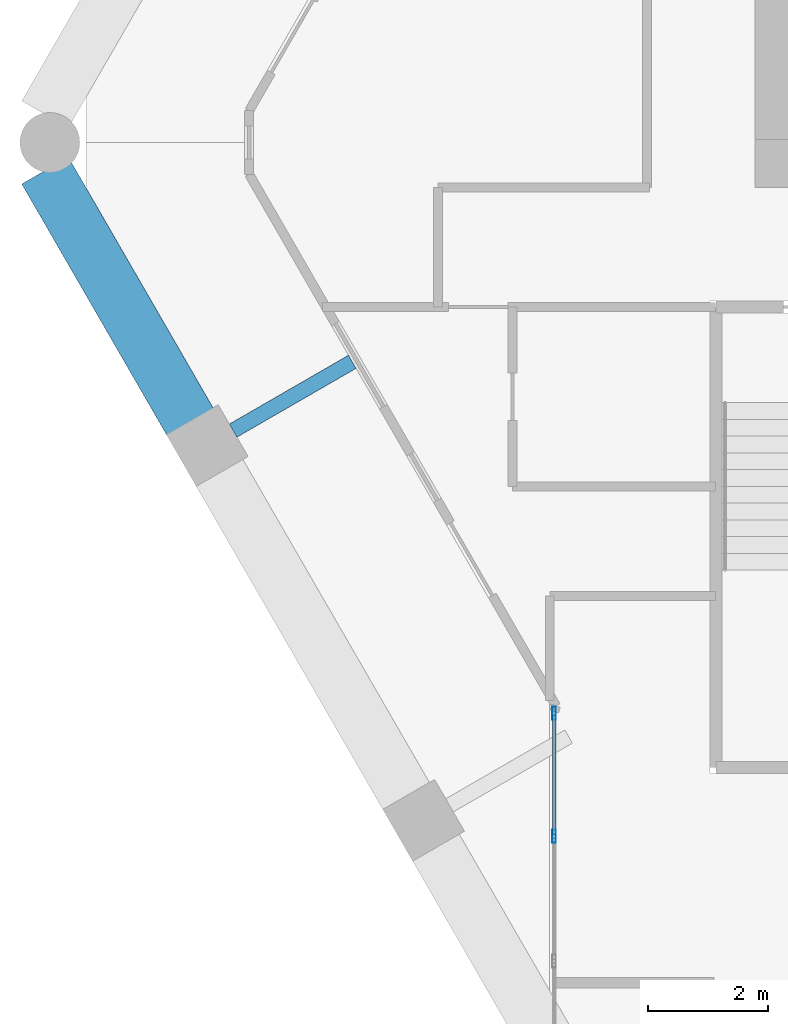
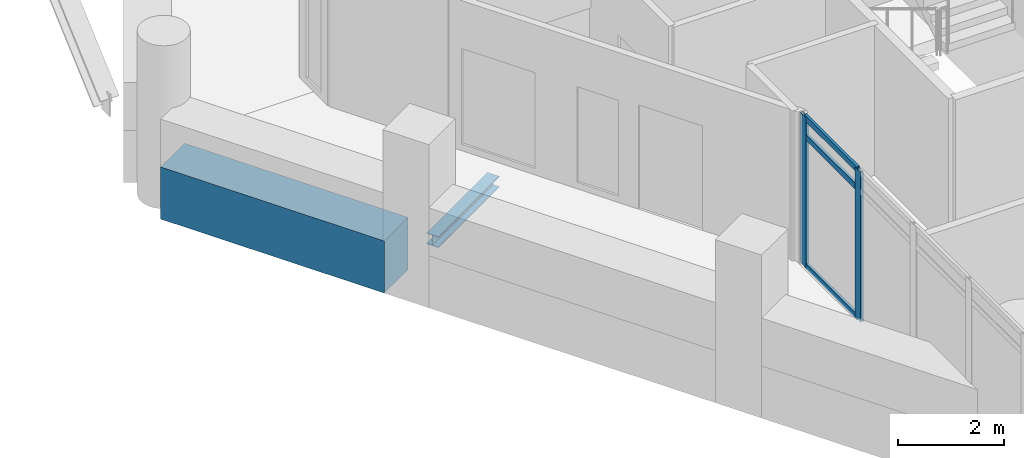
# One storey, part 11 of 38: 5 members, 2 beams, 1 element without a shape of its own.
"""IFC4 building model written with IfcOpenShell, lengths in metres."""

from ifc_helpers import new_model, si_unit, direction, frame, origin, origin_2d, place, context, subcontext, project, spatial, rectangle, hollow_rectangle, i_section, extrude, material, material_profile, profile_set, type_object, element, aggregate, save


model = new_model("IFC4")

# Units and contexts
model_context = context("Model", 3, precision=1e-05, world=origin(), true_north=direction((0.0, 1.0)))
body_context = subcontext(model_context, "Body", "Model", "MODEL_VIEW")
ifc_project = project(units=[si_unit("LENGTHUNIT", "METRE"), si_unit("AREAUNIT", "SQUARE_METRE"), si_unit("VOLUMEUNIT", "CUBIC_METRE"), si_unit("PLANEANGLEUNIT", "RADIAN"), si_unit("MASSUNIT", "GRAM", prefix="KILO")], contexts=[model_context])

# Site, building, storey
site_placement = place(None, origin())
site = spatial("IfcSite", under=ifc_project, at=site_placement, CompositionType="ELEMENT")
building_placement = place(site_placement, origin())
building = spatial("IfcBuilding", under=site, at=building_placement, Name="Ostrander Bayou Hotel Tower", CompositionType="ELEMENT")
storey_placement = place(building_placement, frame((0.0, 0.0, 194.5)))
storey = spatial("IfcBuildingStorey", under=building, at=storey_placement, Name="L48", CompositionType="ELEMENT", Elevation=194.5)

# Curtain wall, members
ifc_material_1 = material(Name="Aluminium and clear glass", Category="aluminium")
curtain_wall_type = type_object("IfcCurtainWallType", Name="CW-BAR glazed wall", PredefinedType="NOTDEFINED", material=ifc_material_1)
curtain_wall_placement = place(storey_placement, origin())
curtain_wall = element("IfcCurtainWall", 1, at=curtain_wall_placement, inside=storey, type_object=curtain_wall_type, Name="CW-BAR L48:SB4S:E", PredefinedType="NOTDEFINED")
ifc_material_2 = material(Name="Aluminium", Category="aluminium")
ifc_material_profile_1 = material_profile(ifc_material_2, hollow_rectangle(XDim=0.06005859375, YDim=0.219970703125, WallThickness=0.00390625, at=origin_2d()))
ifc_profile_set_1 = profile_set([ifc_material_profile_1], Name="Aluminium")
member_type_1 = type_object("IfcMemberType", Name="CW-BR mullion 60 x 220 mm", PredefinedType="MULLION", material=ifc_profile_set_1)
member_1_placement = place(storey_placement, frame((-11.857177734375, -10.49267578125, 0.0), z_axis=(0.0, 0.0, 1.0), x_axis=(1.0, 0.0, 0.0)))
member_1 = element("IfcMember", 2, at=member_1_placement, type_object=member_type_1, Name="CW-BAR mullion 1", PredefinedType="MULLION", context=body_context, shape_type="SweptSolid", body=[
    extrude(hollow_rectangle(XDim=0.06005859375, YDim=0.219970703125, WallThickness=0.00390625, at=origin_2d()), origin(), (0.0, 0.0, 1.0), 3.449951171875),
])
member_2_placement = place(storey_placement, frame((-11.857177734375, -12.550537109375, 0.0), z_axis=(0.0, 0.0, 1.0), x_axis=(1.0, 0.0, 0.0)))
member_2 = element("IfcMember", 3, at=member_2_placement, type_object=member_type_1, Name="CW-BAR mullion 2", PredefinedType="MULLION", context=body_context, shape_type="SweptSolid", body=[
    extrude(hollow_rectangle(XDim=0.06005859375, YDim=0.219970703125, WallThickness=0.00390625, at=origin_2d()), origin(), (0.0, 0.0, 1.0), 3.449951171875),
])
ifc_material_3 = material(Name="Aluminium", Category="aluminium")
ifc_material_profile_2 = material_profile(ifc_material_3, hollow_rectangle(XDim=0.06005859375, YDim=0.1298828125, WallThickness=0.00390625, at=origin_2d()))
ifc_profile_set_2 = profile_set([ifc_material_profile_2], Name="Aluminium")
member_type_2 = type_object("IfcMemberType", Name="CW-BR transom 60 x 130 mm", PredefinedType="USERDEFINED", material=ifc_profile_set_2)
member_3_placement = place(storey_placement, frame((-11.857177734375, -10.522705078125, 0.030029296875), z_axis=(0.0, -1.0, 0.0), x_axis=(1.0, 0.0, 0.0)))
member_3 = element("IfcMember", 4, at=member_3_placement, type_object=member_type_2, Name="CW-BAR transom 1.1", ObjectType="TRANSOM", PredefinedType="USERDEFINED", context=body_context, shape_type="SweptSolid", body=[
    extrude(hollow_rectangle(XDim=0.06005859375, YDim=0.1298828125, WallThickness=0.00390625, at=origin_2d()), origin(), (0.0, 0.0, 1.0), 1.997802734375),
])
member_4_placement = place(storey_placement, frame((-11.857177734375, -10.522705078125, 3.0), z_axis=(0.0, -1.0, 0.0), x_axis=(1.0, 0.0, 0.0)))
member_4 = element("IfcMember", 5, at=member_4_placement, type_object=member_type_2, Name="CW-BAR transom 1.2", ObjectType="TRANSOM", PredefinedType="USERDEFINED", context=body_context, shape_type="SweptSolid", body=[
    extrude(hollow_rectangle(XDim=0.06005859375, YDim=0.1298828125, WallThickness=0.00390625, at=origin_2d()), origin(), (0.0, 0.0, 1.0), 1.997802734375),
])
member_5_placement = place(storey_placement, frame((-11.857177734375, -10.522705078125, 3.419921875), z_axis=(0.0, -1.0, 0.0), x_axis=(1.0, 0.0, 0.0)))
member_5 = element("IfcMember", 6, at=member_5_placement, type_object=member_type_2, Name="CW-BAR transom 1.3", ObjectType="TRANSOM", PredefinedType="USERDEFINED", context=body_context, shape_type="SweptSolid", body=[
    extrude(hollow_rectangle(XDim=0.06005859375, YDim=0.1298828125, WallThickness=0.00390625, at=origin_2d()), origin(), (0.0, 0.0, 1.0), 1.997802734375),
])
aggregate(curtain_wall, [member_1, member_2, member_3, member_4, member_5])

# Beams
ifc_material_4 = material(Name="Steel ASTM A992", Category="steel")
ifc_material_profile_3 = material_profile(ifc_material_4, i_section(OverallWidth=0.25390625, OverallDepth=0.25341796875, WebThickness=0.008544921875, FlangeThickness=0.01416015625, at=origin_2d()))
ifc_profile_set_3 = profile_set([ifc_material_profile_3], Name="Steel ASTM A992")
beam_type_1 = type_object("IfcBeamType", Name="LB2 loggia bracket W10x49", PredefinedType="BEAM", material=ifc_profile_set_3)
beam_1_placement = place(storey_placement, frame((-17.224365234375, -5.7666015625, -0.4267578125), z_axis=(0.866053019151, 0.499952165731, 0.0), x_axis=(-0.499952165731, 0.866053019151, 0.0)))
element("IfcBeam", 7, at=beam_1_placement, inside=storey, type_object=beam_type_1, Name="LB2 L48 SW1", PredefinedType="BEAM", context=body_context, shape_type="SweptSolid", body=[
    extrude(i_section(OverallWidth=0.25390625, OverallDepth=0.25341796875, WebThickness=0.008544921875, FlangeThickness=0.01416015625, at=origin_2d()), origin(), (0.0, 0.0, 1.0), 2.300048828125),
])
ifc_material_5 = material(Name="Concrete f'c 60 MPa", Category="concrete")
ifc_material_profile_4 = material_profile(ifc_material_5, rectangle(XDim=0.89990234375, YDim=1.199951171875, at=origin_2d()))
ifc_profile_set_4 = profile_set([ifc_material_profile_4], Name="Concrete f'c 60 MPa")
beam_type_2 = type_object("IfcBeamType", Name="SP3 spandrel beam 900 x 1200 mm f'c 60 MPa", PredefinedType="SPANDREL", material=ifc_profile_set_4)
beam_2_placement = place(storey_placement, frame((-20.36962890625, -1.4189453125, -0.60009765625), z_axis=(0.500033586455, -0.866006011767, 0.0), x_axis=(0.866006011767, 0.500033586455, 0.0)))
element("IfcBeam", 8, at=beam_2_placement, inside=storey, type_object=beam_type_2, Name="SP3 L48 SW-1", PredefinedType="SPANDREL", context=body_context, shape_type="SweptSolid", body=[
    extrude(rectangle(XDim=0.89990234375, YDim=1.199951171875, at=origin_2d()), origin(), (0.0, 0.0, 1.0), 4.867919921875),
])

save(model, "model.ifc")
